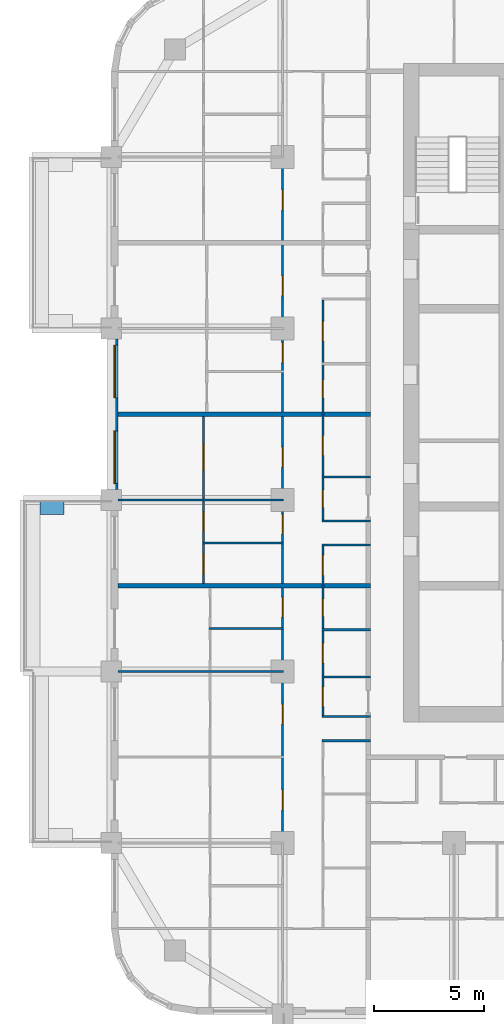
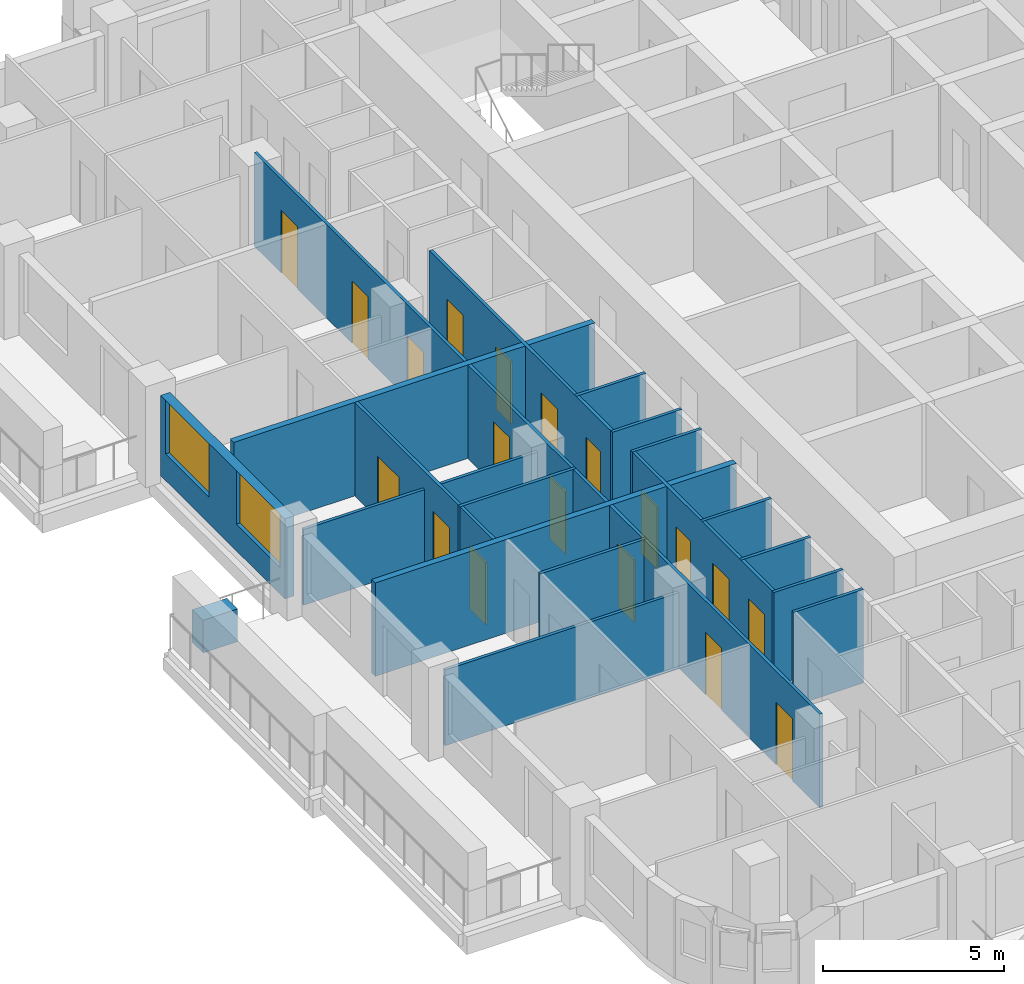
# One storey, part 5 of 18: 19 doors, 19 walls, 2 windows, 21 openings.
"""IFC4 building model written with IfcOpenShell, lengths in metres."""

from ifc_helpers import new_model, si_unit, direction, frame, frame_2d, origin, place, context, subcontext, project, spatial, rectangle, extrude, material, layer, layer_set, type_object, element, fill, save


model = new_model("IFC4")

# Units and contexts
model_context = context("Model", 3, precision=1e-05, world=origin(), true_north=direction((0.0, 1.0)))
body_context = subcontext(model_context, "Body", "Model", "MODEL_VIEW")
ifc_project = project(units=[si_unit("LENGTHUNIT", "METRE"), si_unit("AREAUNIT", "SQUARE_METRE"), si_unit("VOLUMEUNIT", "CUBIC_METRE"), si_unit("PLANEANGLEUNIT", "RADIAN"), si_unit("MASSUNIT", "GRAM", prefix="KILO")], contexts=[model_context])

# Site, building, storey
site_placement = place(None, origin())
site = spatial("IfcSite", under=ifc_project, at=site_placement, CompositionType="ELEMENT")
building_placement = place(site_placement, origin())
building = spatial("IfcBuilding", under=site, at=building_placement, Name="Ludao Terraces", CompositionType="ELEMENT")
storey_placement = place(building_placement, frame((0.0, 0.0, 61.39990234375)))
storey = spatial("IfcBuildingStorey", under=building, at=storey_placement, Name="L16", CompositionType="ELEMENT", Elevation=61.39990234375)

# Wall
ifc_material_1 = material(Name="Concrete C40", Category="concrete")
ifc_layer_1 = layer(ifc_material_1, 0.60009765625)
ifc_layer_set_1 = layer_set([ifc_layer_1], Name="ENV Planter trough 600")
wall_type_1 = type_object("IfcWallType", Name="ENV Planter trough 600", PredefinedType="USERDEFINED", material=ifc_layer_set_1)
wall_1_placement = place(storey_placement, frame((58.35009765625, 64.64990234375, 0.0), z_axis=(0.0, 0.0, 1.0), x_axis=(1.0, 0.0, 0.0)))
element("IfcWall", 1, at=wall_1_placement, inside=storey, type_object=wall_type_1, Name="PL-L16-W2-SB", ObjectType="PLANTER", PredefinedType="USERDEFINED", context=body_context, shape_type="SweptSolid", body=[
    extrude(rectangle(XDim=1.099853515625, YDim=0.60009765625, at=frame_2d((0.5498046875, 0.0))), origin(), (0.0, 0.0, 1.0), 1.10009765625),
])

# Wall, openings, windows
ifc_material_2 = material(Name="Granite cladding", Category="masonry")
ifc_layer_2 = layer(ifc_material_2, 0.0400390625, Category="stone")
ifc_material_3 = material(Name="Mineral wool")
ifc_layer_3 = layer(ifc_material_3, 0.06005859375)
ifc_layer_4 = layer(ifc_material_1, 0.199951171875, Category="concrete")
ifc_layer_set_2 = layer_set([ifc_layer_2, ifc_layer_3, ifc_layer_4], Name="ENV Stone-clad wall 300")
wall_type_2 = type_object("IfcWallType", Name="ENV Stone-clad wall 300", PredefinedType="SOLIDWALL", material=ifc_layer_set_2)
wall_2_placement = place(storey_placement, frame((61.75, 65.47509765625, 0.0), z_axis=(0.0, 0.0, 1.0), x_axis=(0.0, 1.0, 0.0)))
wall_2 = element("IfcWall", 2, at=wall_2_placement, inside=storey, type_object=wall_type_2, Name="EW-L16-W4", PredefinedType="SOLIDWALL", context=body_context, shape_type="SweptSolid", body=[
    extrude(rectangle(XDim=6.849853515625, YDim=0.300048828125, at=frame_2d((3.4248046875, 0.0))), origin(), (0.0, 0.0, 1.0), 2.7001953125),
])
opening_1_placement = place(wall_2_placement, frame((0.27490234375, 0.0, 0.89990234375)))
opening_1 = element("IfcOpeningElement", 3, at=opening_1_placement, cuts=wall_2, Name="Opening W1", PredefinedType="OPENING", context=body_context, shape_type="SweptSolid", body=[
    extrude(rectangle(XDim=2.39990234375, YDim=1.800048828125, at=frame_2d((1.199951171875, 0.89990234375))), frame((0.0, 0.16015625, 0.0), z_axis=(0.0, -1.0, 0.0), x_axis=(1.0, 0.0, 0.0)), (0.0, 0.0, 1.0), 0.320068359375),
])
opening_2_placement = place(wall_2_placement, frame((4.175048828125, 0.0, 0.89990234375)))
opening_2 = element("IfcOpeningElement", 4, at=opening_2_placement, cuts=wall_2, Name="Opening W1", PredefinedType="OPENING", context=body_context, shape_type="SweptSolid", body=[
    extrude(rectangle(XDim=2.39990234375, YDim=1.800048828125, at=frame_2d((1.199951171875, 0.89990234375))), frame((0.0, 0.16015625, 0.0), z_axis=(0.0, -1.0, 0.0), x_axis=(1.0, 0.0, 0.0)), (0.0, 0.0, 1.0), 0.320068359375),
])
ifc_material_4 = material(Name="Clear glass in aluminium frame", Category="aluminium")
ifc_layer_5 = layer(ifc_material_4, 0.06005859375)
ifc_layer_set_3 = layer_set([ifc_layer_5], Name="ENV Window W1 2400x1800")
window_type = type_object("IfcWindowType", Name="ENV Window W1 2400x1800", PartitioningType="DOUBLE_PANEL_VERTICAL", PredefinedType="WINDOW", material=ifc_layer_set_3)
window_1_placement = place(opening_1_placement, origin())
window_1 = element("IfcWindow", 5, at=window_1_placement, inside=storey, type_object=window_type, Name="W-L16-W4-1", OverallHeight=1.800048828125, OverallWidth=2.39990234375, PartitioningType="DOUBLE_PANEL_VERTICAL", PredefinedType="WINDOW", context=body_context, shape_type="SweptSolid", body=[
    extrude(rectangle(XDim=2.39990234375, YDim=1.800048828125, at=frame_2d((1.199951171875, 0.89990234375))), frame((0.0, 0.030029296875, 0.0), z_axis=(0.0, -1.0, 0.0), x_axis=(1.0, 0.0, 0.0)), (0.0, 0.0, 1.0), 0.06005859375),
])
fill(opening_1, window_1)
window_2_placement = place(opening_2_placement, origin())
window_2 = element("IfcWindow", 6, at=window_2_placement, inside=storey, type_object=window_type, Name="W-L16-W4-2", OverallHeight=1.800048828125, OverallWidth=2.39990234375, PartitioningType="DOUBLE_PANEL_VERTICAL", PredefinedType="WINDOW", context=body_context, shape_type="SweptSolid", body=[
    extrude(rectangle(XDim=2.39990234375, YDim=1.800048828125, at=frame_2d((1.199951171875, 0.89990234375))), frame((0.0, 0.030029296875, 0.0), z_axis=(0.0, -1.0, 0.0), x_axis=(1.0, 0.0, 0.0)), (0.0, 0.0, 1.0), 0.06005859375),
])
fill(opening_2, window_2)

# Walls
ifc_material_5 = material(Name="Gypsum plasterboard", Category="gypsum")
ifc_layer_6 = layer(ifc_material_5, 0.012451171875, Category="gypsum")
ifc_layer_7 = layer(ifc_material_3, 0.06005859375, Name="insulation")
ifc_material_6 = material(Name="Steel Q235", Category="steel")
ifc_layer_8 = layer(ifc_material_6, 0.014892578125, Name="stud")
ifc_layer_9 = layer(ifc_material_5, 0.012451171875, Category="gypsum")
ifc_layer_set_4 = layer_set([ifc_layer_6, ifc_layer_7, ifc_layer_8, ifc_layer_9], Name="INT Partition 100")
wall_type_3 = type_object("IfcWallType", Name="INT Partition 100", PredefinedType="PARTITIONING", material=ifc_layer_set_4)
for number, where, z_axis, x_axis, name in (
    (7, (71.18017578125, 54.050048828125, 0.0), (0.0, 0.0, 1.0), (1.0, 0.0, 0.0), "PW-L16-PW022"),
    (8, (71.18017578125, 55.14990234375, 0.0), (0.0, 0.0, 1.0), (1.0, 0.0, 0.0), "PW-L16-PW024"),
    (9, (71.18017578125, 56.949951171875, 0.0), (0.0, 0.0, 1.0), (1.0, 0.0, 0.0), "PW-L16-PW026"),
):
    element("IfcWall", number, at=place(storey_placement, frame(where, z_axis=z_axis, x_axis=x_axis)), inside=storey, type_object=wall_type_3, Name=name, PredefinedType="PARTITIONING", context=body_context, shape_type="SweptSolid", body=[
        extrude(rectangle(XDim=2.219970703125, YDim=0.10009765625, at=frame_2d((1.10986328125, 0.0))), origin(), (0.0, 0.0, 1.0), 3.150146484375),
    ])
wall_3_placement = place(storey_placement, frame((61.900146484375, 57.199951171875, 0.0), z_axis=(0.0, 0.0, 1.0), x_axis=(1.0, 0.0, 0.0)))
element("IfcWall", 10, at=wall_3_placement, inside=storey, type_object=wall_type_3, Name="PW-L16-PW027", PredefinedType="PARTITIONING", context=body_context, shape_type="SweptSolid", body=[
    extrude(rectangle(XDim=7.550048828125, YDim=0.10009765625, at=frame_2d((3.77490234375, 0.0))), origin(), (0.0, 0.0, 1.0), 2.550048828125),
])
wall_4_placement = place(storey_placement, frame((71.18017578125, 59.10009765625, 0.0), z_axis=(0.0, 0.0, 1.0), x_axis=(1.0, 0.0, 0.0)))
element("IfcWall", 11, at=wall_4_placement, inside=storey, type_object=wall_type_3, Name="PW-L16-PW029", PredefinedType="PARTITIONING", context=body_context, shape_type="SweptSolid", body=[
    extrude(rectangle(XDim=2.219970703125, YDim=0.10009765625, at=frame_2d((1.10986328125, 0.0))), origin(), (0.0, 0.0, 1.0), 3.150146484375),
])
wall_5_placement = place(storey_placement, frame((66.050048828125, 59.14990234375, 0.0), z_axis=(0.0, 0.0, 1.0), x_axis=(1.0, 0.0, 0.0)))
element("IfcWall", 12, at=wall_5_placement, inside=storey, type_object=wall_type_3, Name="PW-L16-PW030", PredefinedType="PARTITIONING", context=body_context, shape_type="SweptSolid", body=[
    extrude(rectangle(XDim=3.400146484375, YDim=0.10009765625, at=frame_2d((1.7001953125, 0.0))), origin(), (0.0, 0.0, 1.0), 3.150146484375),
])
wall_6_placement = place(storey_placement, frame((71.18017578125, 62.949951171875, 0.0), z_axis=(0.0, 0.0, 1.0), x_axis=(1.0, 0.0, 0.0)))
element("IfcWall", 13, at=wall_6_placement, inside=storey, type_object=wall_type_3, Name="PW-L16-PW037", PredefinedType="PARTITIONING", context=body_context, shape_type="SweptSolid", body=[
    extrude(rectangle(XDim=2.219970703125, YDim=0.10009765625, at=frame_2d((1.10986328125, 0.0))), origin(), (0.0, 0.0, 1.0), 3.150146484375),
])
wall_7_placement = place(storey_placement, frame((65.75, 63.050048828125, 0.0), z_axis=(0.0, 0.0, 1.0), x_axis=(1.0, 0.0, 0.0)))
element("IfcWall", 14, at=wall_7_placement, inside=storey, type_object=wall_type_3, Name="PW-L16-PW038", PredefinedType="PARTITIONING", context=body_context, shape_type="SweptSolid", body=[
    extrude(rectangle(XDim=3.7001953125, YDim=0.10009765625, at=frame_2d((1.85009765625, 0.0))), origin(), (0.0, 0.0, 1.0), 3.150146484375),
])
wall_8_placement = place(storey_placement, frame((71.18017578125, 64.050048828125, 0.0), z_axis=(0.0, 0.0, 1.0), x_axis=(1.0, 0.0, 0.0)))
element("IfcWall", 15, at=wall_8_placement, inside=storey, type_object=wall_type_3, Name="PW-L16-PW041", PredefinedType="PARTITIONING", context=body_context, shape_type="SweptSolid", body=[
    extrude(rectangle(XDim=2.219970703125, YDim=0.10009765625, at=frame_2d((1.10986328125, 0.0))), origin(), (0.0, 0.0, 1.0), 3.150146484375),
])
wall_9_placement = place(storey_placement, frame((61.900146484375, 65.0, 0.0), z_axis=(0.0, 0.0, 1.0), x_axis=(1.0, 0.0, 0.0)))
element("IfcWall", 16, at=wall_9_placement, inside=storey, type_object=wall_type_3, Name="PW-L16-PW042", PredefinedType="PARTITIONING", context=body_context, shape_type="SweptSolid", body=[
    extrude(rectangle(XDim=7.550048828125, YDim=0.10009765625, at=frame_2d((3.77490234375, 0.0))), origin(), (0.0, 0.0, 1.0), 2.550048828125),
])
wall_10_placement = place(storey_placement, frame((71.18017578125, 66.050048828125, 0.0), z_axis=(0.0, 0.0, 1.0), x_axis=(1.0, 0.0, 0.0)))
element("IfcWall", 17, at=wall_10_placement, inside=storey, type_object=wall_type_3, Name="PW-L16-PW044", PredefinedType="PARTITIONING", context=body_context, shape_type="SweptSolid", body=[
    extrude(rectangle(XDim=2.219970703125, YDim=0.10009765625, at=frame_2d((1.10986328125, 0.0))), origin(), (0.0, 0.0, 1.0), 3.150146484375),
])

# Wall, openings, doors
wall_11_placement = place(storey_placement, frame((65.800048828125, 61.2001953125, 0.0), z_axis=(0.0, 0.0, 1.0), x_axis=(0.0, 1.0, 0.0)))
wall_11 = element("IfcWall", 18, at=wall_11_placement, inside=storey, type_object=wall_type_3, Name="PW-L16-PW081", PredefinedType="PARTITIONING", context=body_context, shape_type="SweptSolid", body=[
    extrude(rectangle(XDim=7.599853515625, YDim=0.10009765625, at=frame_2d((3.7998046875, 0.0))), origin(), (0.0, 0.0, 1.0), 3.150146484375),
])
opening_3_placement = place(wall_11_placement, frame((0.4248046875, 0.0, 0.0)))
opening_3 = element("IfcOpeningElement", 19, at=opening_3_placement, cuts=wall_11, Name="Opening R05-076", PredefinedType="OPENING", context=body_context, shape_type="SweptSolid", body=[
    extrude(rectangle(XDim=0.89990234375, YDim=2.10009765625, at=frame_2d((0.449951171875, 1.050048828125))), frame((0.0, 0.06005859375, 0.0), z_axis=(0.0, -1.0, 0.0), x_axis=(1.0, 0.0, 0.0)), (0.0, 0.0, 1.0), 0.1201171875),
])
opening_4_placement = place(wall_11_placement, frame((2.375, 0.0, 0.0)))
opening_4 = element("IfcOpeningElement", 20, at=opening_4_placement, cuts=wall_11, Name="Opening R05-085", PredefinedType="OPENING", context=body_context, shape_type="SweptSolid", body=[
    extrude(rectangle(XDim=0.89990234375, YDim=2.10009765625, at=frame_2d((0.449951171875, 1.050048828125))), frame((0.0, 0.06005859375, 0.0), z_axis=(0.0, -1.0, 0.0), x_axis=(1.0, 0.0, 0.0)), (0.0, 0.0, 1.0), 0.1201171875),
])
opening_5_placement = place(wall_11_placement, frame((5.14990234375, 0.0, 0.0)))
opening_5 = element("IfcOpeningElement", 21, at=opening_5_placement, cuts=wall_11, Name="Opening R05-094", PredefinedType="OPENING", context=body_context, shape_type="SweptSolid", body=[
    extrude(rectangle(XDim=1.199951171875, YDim=2.10009765625, at=frame_2d((0.60009765625, 1.050048828125))), frame((0.0, 0.06005859375, 0.0), z_axis=(0.0, -1.0, 0.0), x_axis=(1.0, 0.0, 0.0)), (0.0, 0.0, 1.0), 0.1201171875),
])
ifc_material_7 = material(Name="Timber door leaf", Category="wood")
door_type_1 = type_object("IfcDoorType", Name="INT Bathroom door 900", OperationType="SINGLE_SWING_LEFT", PredefinedType="DOOR", material=ifc_material_7)
door_1_placement = place(opening_3_placement, origin())
door_1 = element("IfcDoor", 22, at=door_1_placement, inside=storey, type_object=door_type_1, Name="DOOR 076", OperationType="SINGLE_SWING_RIGHT", OverallHeight=2.10009765625, OverallWidth=0.89990234375, PredefinedType="DOOR", context=body_context, shape_type="SweptSolid", body=[
    extrude(rectangle(XDim=0.89990234375, YDim=2.10009765625, at=frame_2d((0.449951171875, 1.050048828125))), frame((0.0, 0.02490234375, 0.0), z_axis=(0.0, -1.0, 0.0), x_axis=(1.0, 0.0, 0.0)), (0.0, 0.0, 1.0), 0.050048828125),
])
fill(opening_3, door_1)
door_type_2 = type_object("IfcDoorType", Name="INT Double door 1200", OperationType="DOUBLE_DOOR_SINGLE_SWING", PredefinedType="DOOR", material=ifc_material_7)
door_2_placement = place(opening_5_placement, origin())
door_2 = element("IfcDoor", 23, at=door_2_placement, inside=storey, type_object=door_type_2, Name="DOOR 094", OperationType="DOUBLE_DOOR_SINGLE_SWING", OverallHeight=2.10009765625, OverallWidth=1.199951171875, PredefinedType="DOOR", context=body_context, shape_type="SweptSolid", body=[
    extrude(rectangle(XDim=1.199951171875, YDim=2.10009765625, at=frame_2d((0.60009765625, 1.050048828125))), frame((0.0, 0.02490234375, 0.0), z_axis=(0.0, -1.0, 0.0), x_axis=(1.0, 0.0, 0.0)), (0.0, 0.0, 1.0), 0.050048828125),
])
fill(opening_5, door_2)
door_type_3 = type_object("IfcDoorType", Name="INT Room door 900", OperationType="SINGLE_SWING_LEFT", PredefinedType="DOOR", material=ifc_material_7)
door_3_placement = place(opening_4_placement, origin())
door_3 = element("IfcDoor", 24, at=door_3_placement, inside=storey, type_object=door_type_3, Name="DOOR 085", OperationType="SINGLE_SWING_RIGHT", OverallHeight=2.10009765625, OverallWidth=0.89990234375, PredefinedType="DOOR", context=body_context, shape_type="SweptSolid", body=[
    extrude(rectangle(XDim=0.89990234375, YDim=2.10009765625, at=frame_2d((0.449951171875, 1.050048828125))), frame((0.0, 0.02490234375, 0.0), z_axis=(0.0, -1.0, 0.0), x_axis=(1.0, 0.0, 0.0)), (0.0, 0.0, 1.0), 0.050048828125),
])
fill(opening_4, door_3)

wall_12_placement = place(storey_placement, frame((69.39990234375, 49.39990234375, 0.0), z_axis=(0.0, 0.0, 1.0), x_axis=(0.0, 1.0, 0.0)))
wall_12 = element("IfcWall", 25, at=wall_12_placement, inside=storey, type_object=wall_type_3, Name="PW-L16-PW085-2", PredefinedType="PARTITIONING", context=body_context, shape_type="SweptSolid", body=[
    extrude(rectangle(XDim=31.2001953125, YDim=0.10009765625, at=frame_2d((15.60009765625, 0.0))), origin(), (0.0, 0.0, 1.0), 3.150146484375),
])
opening_6_placement = place(wall_12_placement, frame((1.500244140625, 0.0, 0.0)))
opening_6 = element("IfcOpeningElement", 26, at=opening_6_placement, cuts=wall_12, Name="Opening R05-043", PredefinedType="OPENING", context=body_context, shape_type="SweptSolid", body=[
    extrude(rectangle(XDim=0.89990234375, YDim=2.10009765625, at=frame_2d((0.449951171875, 1.050048828125))), frame((0.0, 0.06005859375, 0.0), z_axis=(0.0, -1.0, 0.0), x_axis=(1.0, 0.0, 0.0)), (0.0, 0.0, 1.0), 0.1201171875),
])
opening_7_placement = place(wall_12_placement, frame((5.400146484375, 0.0, 0.0)))
opening_7 = element("IfcOpeningElement", 27, at=opening_7_placement, cuts=wall_12, Name="Opening R05-053", PredefinedType="OPENING", context=body_context, shape_type="SweptSolid", body=[
    extrude(rectangle(XDim=0.89990234375, YDim=2.10009765625, at=frame_2d((0.449951171875, 1.050048828125))), frame((0.0, 0.06005859375, 0.0), z_axis=(0.0, -1.0, 0.0), x_axis=(1.0, 0.0, 0.0)), (0.0, 0.0, 1.0), 0.1201171875),
])
opening_8_placement = place(wall_12_placement, frame((10.275146484375, 0.0, 0.0)))
opening_8 = element("IfcOpeningElement", 28, at=opening_8_placement, cuts=wall_12, Name="Opening R05-071", PredefinedType="OPENING", context=body_context, shape_type="SweptSolid", body=[
    extrude(rectangle(XDim=0.89990234375, YDim=2.10009765625, at=frame_2d((0.449951171875, 1.050048828125))), frame((0.0, 0.06005859375, 0.0), z_axis=(0.0, -1.0, 0.0), x_axis=(1.0, 0.0, 0.0)), (0.0, 0.0, 1.0), 0.1201171875),
])
opening_9_placement = place(wall_12_placement, frame((14.05029296875, 0.0, 0.0)))
opening_9 = element("IfcOpeningElement", 29, at=opening_9_placement, cuts=wall_12, Name="Opening R05-083", PredefinedType="OPENING", context=body_context, shape_type="SweptSolid", body=[
    extrude(rectangle(XDim=0.89990234375, YDim=2.10009765625, at=frame_2d((0.449951171875, 1.050048828125))), frame((0.0, 0.06005859375, 0.0), z_axis=(0.0, -1.0, 0.0), x_axis=(1.0, 0.0, 0.0)), (0.0, 0.0, 1.0), 0.1201171875),
])
opening_10_placement = place(wall_12_placement, frame((17.10009765625, 0.0, 0.0)))
opening_10 = element("IfcOpeningElement", 30, at=opening_10_placement, cuts=wall_12, Name="Opening R05-095", PredefinedType="OPENING", context=body_context, shape_type="SweptSolid", body=[
    extrude(rectangle(XDim=0.89990234375, YDim=2.10009765625, at=frame_2d((0.449951171875, 1.050048828125))), frame((0.0, 0.06005859375, 0.0), z_axis=(0.0, -1.0, 0.0), x_axis=(1.0, 0.0, 0.0)), (0.0, 0.0, 1.0), 0.1201171875),
])
opening_11_placement = place(wall_12_placement, frame((21.85009765625, 0.0, 0.0)))
opening_11 = element("IfcOpeningElement", 31, at=opening_11_placement, cuts=wall_12, Name="Opening R05-109", PredefinedType="OPENING", context=body_context, shape_type="SweptSolid", body=[
    extrude(rectangle(XDim=0.89990234375, YDim=2.10009765625, at=frame_2d((0.449951171875, 1.050048828125))), frame((0.0, 0.06005859375, 0.0), z_axis=(0.0, -1.0, 0.0), x_axis=(1.0, 0.0, 0.0)), (0.0, 0.0, 1.0), 0.1201171875),
])
opening_12_placement = place(wall_12_placement, frame((24.900146484375, 0.0, 0.0)))
opening_12 = element("IfcOpeningElement", 32, at=opening_12_placement, cuts=wall_12, Name="Opening R05-120", PredefinedType="OPENING", context=body_context, shape_type="SweptSolid", body=[
    extrude(rectangle(XDim=0.89990234375, YDim=2.10009765625, at=frame_2d((0.449951171875, 1.050048828125))), frame((0.0, 0.06005859375, 0.0), z_axis=(0.0, -1.0, 0.0), x_axis=(1.0, 0.0, 0.0)), (0.0, 0.0, 1.0), 0.1201171875),
])
opening_13_placement = place(wall_12_placement, frame((28.80029296875, 0.0, 0.0)))
opening_13 = element("IfcOpeningElement", 33, at=opening_13_placement, cuts=wall_12, Name="Opening R05-138", PredefinedType="OPENING", context=body_context, shape_type="SweptSolid", body=[
    extrude(rectangle(XDim=0.89990234375, YDim=2.10009765625, at=frame_2d((0.449951171875, 1.050048828125))), frame((0.0, 0.06005859375, 0.0), z_axis=(0.0, -1.0, 0.0), x_axis=(1.0, 0.0, 0.0)), (0.0, 0.0, 1.0), 0.1201171875),
])
door_4_placement = place(opening_6_placement, origin())
door_4 = element("IfcDoor", 34, at=door_4_placement, inside=storey, type_object=door_type_3, Name="DOOR 043", OperationType="SINGLE_SWING_RIGHT", OverallHeight=2.10009765625, OverallWidth=0.89990234375, PredefinedType="DOOR", context=body_context, shape_type="SweptSolid", body=[
    extrude(rectangle(XDim=0.89990234375, YDim=2.10009765625, at=frame_2d((0.449951171875, 1.050048828125))), frame((0.0, 0.02490234375, 0.0), z_axis=(0.0, -1.0, 0.0), x_axis=(1.0, 0.0, 0.0)), (0.0, 0.0, 1.0), 0.050048828125),
])
fill(opening_6, door_4)
door_5_placement = place(opening_7_placement, origin())
door_5 = element("IfcDoor", 35, at=door_5_placement, inside=storey, type_object=door_type_3, Name="DOOR 053", OperationType="SINGLE_SWING_LEFT", OverallHeight=2.10009765625, OverallWidth=0.89990234375, PredefinedType="DOOR", context=body_context, shape_type="SweptSolid", body=[
    extrude(rectangle(XDim=0.89990234375, YDim=2.10009765625, at=frame_2d((0.449951171875, 1.050048828125))), frame((0.0, 0.02490234375, 0.0), z_axis=(0.0, -1.0, 0.0), x_axis=(1.0, 0.0, 0.0)), (0.0, 0.0, 1.0), 0.050048828125),
])
fill(opening_7, door_5)
door_6_placement = place(opening_8_placement, origin())
door_6 = element("IfcDoor", 36, at=door_6_placement, inside=storey, type_object=door_type_3, Name="DOOR 071", OperationType="SINGLE_SWING_RIGHT", OverallHeight=2.10009765625, OverallWidth=0.89990234375, PredefinedType="DOOR", context=body_context, shape_type="SweptSolid", body=[
    extrude(rectangle(XDim=0.89990234375, YDim=2.10009765625, at=frame_2d((0.449951171875, 1.050048828125))), frame((0.0, 0.02490234375, 0.0), z_axis=(0.0, -1.0, 0.0), x_axis=(1.0, 0.0, 0.0)), (0.0, 0.0, 1.0), 0.050048828125),
])
fill(opening_8, door_6)
door_7_placement = place(opening_9_placement, origin())
door_7 = element("IfcDoor", 37, at=door_7_placement, inside=storey, type_object=door_type_3, Name="DOOR 083", OperationType="SINGLE_SWING_LEFT", OverallHeight=2.10009765625, OverallWidth=0.89990234375, PredefinedType="DOOR", context=body_context, shape_type="SweptSolid", body=[
    extrude(rectangle(XDim=0.89990234375, YDim=2.10009765625, at=frame_2d((0.449951171875, 1.050048828125))), frame((0.0, 0.02490234375, 0.0), z_axis=(0.0, -1.0, 0.0), x_axis=(1.0, 0.0, 0.0)), (0.0, 0.0, 1.0), 0.050048828125),
])
fill(opening_9, door_7)
door_8_placement = place(opening_10_placement, origin())
door_8 = element("IfcDoor", 38, at=door_8_placement, inside=storey, type_object=door_type_3, Name="DOOR 095", OperationType="SINGLE_SWING_LEFT", OverallHeight=2.10009765625, OverallWidth=0.89990234375, PredefinedType="DOOR", context=body_context, shape_type="SweptSolid", body=[
    extrude(rectangle(XDim=0.89990234375, YDim=2.10009765625, at=frame_2d((0.449951171875, 1.050048828125))), frame((0.0, 0.02490234375, 0.0), z_axis=(0.0, -1.0, 0.0), x_axis=(1.0, 0.0, 0.0)), (0.0, 0.0, 1.0), 0.050048828125),
])
fill(opening_10, door_8)
door_9_placement = place(opening_11_placement, origin())
door_9 = element("IfcDoor", 39, at=door_9_placement, inside=storey, type_object=door_type_3, Name="DOOR 109", OperationType="SINGLE_SWING_LEFT", OverallHeight=2.10009765625, OverallWidth=0.89990234375, PredefinedType="DOOR", context=body_context, shape_type="SweptSolid", body=[
    extrude(rectangle(XDim=0.89990234375, YDim=2.10009765625, at=frame_2d((0.449951171875, 1.050048828125))), frame((0.0, 0.02490234375, 0.0), z_axis=(0.0, -1.0, 0.0), x_axis=(1.0, 0.0, 0.0)), (0.0, 0.0, 1.0), 0.050048828125),
])
fill(opening_11, door_9)
door_10_placement = place(opening_12_placement, origin())
door_10 = element("IfcDoor", 40, at=door_10_placement, inside=storey, type_object=door_type_3, Name="DOOR 120", OperationType="SINGLE_SWING_RIGHT", OverallHeight=2.10009765625, OverallWidth=0.89990234375, PredefinedType="DOOR", context=body_context, shape_type="SweptSolid", body=[
    extrude(rectangle(XDim=0.89990234375, YDim=2.10009765625, at=frame_2d((0.449951171875, 1.050048828125))), frame((0.0, 0.02490234375, 0.0), z_axis=(0.0, -1.0, 0.0), x_axis=(1.0, 0.0, 0.0)), (0.0, 0.0, 1.0), 0.050048828125),
])
fill(opening_12, door_10)
door_11_placement = place(opening_13_placement, origin())
door_11 = element("IfcDoor", 41, at=door_11_placement, inside=storey, type_object=door_type_3, Name="DOOR 138", OperationType="SINGLE_SWING_LEFT", OverallHeight=2.10009765625, OverallWidth=0.89990234375, PredefinedType="DOOR", context=body_context, shape_type="SweptSolid", body=[
    extrude(rectangle(XDim=0.89990234375, YDim=2.10009765625, at=frame_2d((0.449951171875, 1.050048828125))), frame((0.0, 0.02490234375, 0.0), z_axis=(0.0, -1.0, 0.0), x_axis=(1.0, 0.0, 0.0)), (0.0, 0.0, 1.0), 0.050048828125),
])
fill(opening_13, door_11)

wall_13_placement = place(storey_placement, frame((71.22998046875, 55.2001953125, 0.0), z_axis=(0.0, 0.0, 1.0), x_axis=(0.0, 1.0, 0.0)))
wall_13 = element("IfcWall", 42, at=wall_13_placement, inside=storey, type_object=wall_type_3, Name="PW-L16-PW087", PredefinedType="PARTITIONING", context=body_context, shape_type="SweptSolid", body=[
    extrude(rectangle(XDim=7.699951171875, YDim=0.10009765625, at=frame_2d((3.85009765625, 0.0))), origin(), (0.0, 0.0, 1.0), 3.150146484375),
])
opening_14_placement = place(wall_13_placement, frame((0.39990234375, 0.0, 0.0)))
opening_14 = element("IfcOpeningElement", 43, at=opening_14_placement, cuts=wall_13, Name="Opening R05-057", PredefinedType="OPENING", context=body_context, shape_type="SweptSolid", body=[
    extrude(rectangle(XDim=0.89990234375, YDim=2.10009765625, at=frame_2d((0.449951171875, 1.050048828125))), frame((0.0, 0.06005859375, 0.0), z_axis=(0.0, -1.0, 0.0), x_axis=(1.0, 0.0, 0.0)), (0.0, 0.0, 1.0), 0.1201171875),
])
opening_15_placement = place(wall_13_placement, frame((2.375, 0.0, 0.0)))
opening_15 = element("IfcOpeningElement", 44, at=opening_15_placement, cuts=wall_13, Name="Opening R05-063", PredefinedType="OPENING", context=body_context, shape_type="SweptSolid", body=[
    extrude(rectangle(XDim=0.89990234375, YDim=2.10009765625, at=frame_2d((0.449951171875, 1.050048828125))), frame((0.0, 0.06005859375, 0.0), z_axis=(0.0, -1.0, 0.0), x_axis=(1.0, 0.0, 0.0)), (0.0, 0.0, 1.0), 0.1201171875),
])
opening_16_placement = place(wall_13_placement, frame((4.5, 0.0, 0.0)))
opening_16 = element("IfcOpeningElement", 45, at=opening_16_placement, cuts=wall_13, Name="Opening R05-069", PredefinedType="OPENING", context=body_context, shape_type="SweptSolid", body=[
    extrude(rectangle(XDim=0.800048828125, YDim=2.10009765625, at=frame_2d((0.39990234375, 1.050048828125))), frame((0.0, 0.06005859375, 0.0), z_axis=(0.0, -1.0, 0.0), x_axis=(1.0, 0.0, 0.0)), (0.0, 0.0, 1.0), 0.1201171875),
])
opening_17_placement = place(wall_13_placement, frame((6.375, 0.0, 0.0)))
opening_17 = element("IfcOpeningElement", 46, at=opening_17_placement, cuts=wall_13, Name="Opening R05-075", PredefinedType="OPENING", context=body_context, shape_type="SweptSolid", body=[
    extrude(rectangle(XDim=0.89990234375, YDim=2.10009765625, at=frame_2d((0.449951171875, 1.050048828125))), frame((0.0, 0.06005859375, 0.0), z_axis=(0.0, -1.0, 0.0), x_axis=(1.0, 0.0, 0.0)), (0.0, 0.0, 1.0), 0.1201171875),
])
door_12_placement = place(opening_14_placement, origin())
door_12 = element("IfcDoor", 47, at=door_12_placement, inside=storey, type_object=door_type_1, Name="DOOR 057", OperationType="SINGLE_SWING_RIGHT", OverallHeight=2.10009765625, OverallWidth=0.89990234375, PredefinedType="DOOR", context=body_context, shape_type="SweptSolid", body=[
    extrude(rectangle(XDim=0.89990234375, YDim=2.10009765625, at=frame_2d((0.449951171875, 1.050048828125))), frame((0.0, 0.02490234375, 0.0), z_axis=(0.0, -1.0, 0.0), x_axis=(1.0, 0.0, 0.0)), (0.0, 0.0, 1.0), 0.050048828125),
])
fill(opening_14, door_12)
door_13_placement = place(opening_15_placement, origin())
door_13 = element("IfcDoor", 48, at=door_13_placement, inside=storey, type_object=door_type_1, Name="DOOR 063", OperationType="SINGLE_SWING_RIGHT", OverallHeight=2.10009765625, OverallWidth=0.89990234375, PredefinedType="DOOR", context=body_context, shape_type="SweptSolid", body=[
    extrude(rectangle(XDim=0.89990234375, YDim=2.10009765625, at=frame_2d((0.449951171875, 1.050048828125))), frame((0.0, 0.02490234375, 0.0), z_axis=(0.0, -1.0, 0.0), x_axis=(1.0, 0.0, 0.0)), (0.0, 0.0, 1.0), 0.050048828125),
])
fill(opening_15, door_13)
door_14_placement = place(opening_17_placement, origin())
door_14 = element("IfcDoor", 49, at=door_14_placement, inside=storey, type_object=door_type_1, Name="DOOR 075", OperationType="SINGLE_SWING_RIGHT", OverallHeight=2.10009765625, OverallWidth=0.89990234375, PredefinedType="DOOR", context=body_context, shape_type="SweptSolid", body=[
    extrude(rectangle(XDim=0.89990234375, YDim=2.10009765625, at=frame_2d((0.449951171875, 1.050048828125))), frame((0.0, 0.02490234375, 0.0), z_axis=(0.0, -1.0, 0.0), x_axis=(1.0, 0.0, 0.0)), (0.0, 0.0, 1.0), 0.050048828125),
])
fill(opening_17, door_14)
door_type_4 = type_object("IfcDoorType", Name="INT Store door 800", OperationType="SINGLE_SWING_LEFT", PredefinedType="DOOR", material=ifc_material_7)
door_15_placement = place(opening_16_placement, origin())
door_15 = element("IfcDoor", 50, at=door_15_placement, inside=storey, type_object=door_type_4, Name="DOOR 069", OperationType="SINGLE_SWING_LEFT", OverallHeight=2.10009765625, OverallWidth=0.800048828125, PredefinedType="DOOR", context=body_context, shape_type="SweptSolid", body=[
    extrude(rectangle(XDim=0.800048828125, YDim=2.10009765625, at=frame_2d((0.39990234375, 1.050048828125))), frame((0.0, 0.02490234375, 0.0), z_axis=(0.0, -1.0, 0.0), x_axis=(1.0, 0.0, 0.0)), (0.0, 0.0, 1.0), 0.050048828125),
])
fill(opening_16, door_15)

wall_14_placement = place(storey_placement, frame((71.22998046875, 64.10009765625, 0.0), z_axis=(0.0, 0.0, 1.0), x_axis=(0.0, 1.0, 0.0)))
wall_14 = element("IfcWall", 51, at=wall_14_placement, inside=storey, type_object=wall_type_3, Name="PW-L16-PW088", PredefinedType="PARTITIONING", context=body_context, shape_type="SweptSolid", body=[
    extrude(rectangle(XDim=10.0, YDim=0.10009765625, at=frame_2d((5.0, 0.0))), origin(), (0.0, 0.0, 1.0), 3.150146484375),
])
opening_18_placement = place(wall_14_placement, frame((0.550048828125, 0.0, 0.0)))
opening_18 = element("IfcOpeningElement", 52, at=opening_18_placement, cuts=wall_14, Name="Opening R05-089", PredefinedType="OPENING", context=body_context, shape_type="SweptSolid", body=[
    extrude(rectangle(XDim=0.800048828125, YDim=2.10009765625, at=frame_2d((0.39990234375, 1.050048828125))), frame((0.0, 0.06005859375, 0.0), z_axis=(0.0, -1.0, 0.0), x_axis=(1.0, 0.0, 0.0)), (0.0, 0.0, 1.0), 0.1201171875),
])
opening_19_placement = place(wall_14_placement, frame((2.925048828125, 0.0, 0.0)))
opening_19 = element("IfcOpeningElement", 53, at=opening_19_placement, cuts=wall_14, Name="Opening R05-096", PredefinedType="OPENING", context=body_context, shape_type="SweptSolid", body=[
    extrude(rectangle(XDim=0.89990234375, YDim=2.10009765625, at=frame_2d((0.449951171875, 1.050048828125))), frame((0.0, 0.06005859375, 0.0), z_axis=(0.0, -1.0, 0.0), x_axis=(1.0, 0.0, 0.0)), (0.0, 0.0, 1.0), 0.1201171875),
])
opening_20_placement = place(wall_14_placement, frame((5.550048828125, 0.0, 0.0)))
opening_20 = element("IfcOpeningElement", 54, at=opening_20_placement, cuts=wall_14, Name="Opening R05-103", PredefinedType="OPENING", context=body_context, shape_type="SweptSolid", body=[
    extrude(rectangle(XDim=0.800048828125, YDim=2.10009765625, at=frame_2d((0.39990234375, 1.050048828125))), frame((0.0, 0.06005859375, 0.0), z_axis=(0.0, -1.0, 0.0), x_axis=(1.0, 0.0, 0.0)), (0.0, 0.0, 1.0), 0.1201171875),
])
opening_21_placement = place(wall_14_placement, frame((8.125, 0.0, 0.0)))
opening_21 = element("IfcOpeningElement", 55, at=opening_21_placement, cuts=wall_14, Name="Opening R05-113", PredefinedType="OPENING", context=body_context, shape_type="SweptSolid", body=[
    extrude(rectangle(XDim=0.89990234375, YDim=2.10009765625, at=frame_2d((0.449951171875, 1.050048828125))), frame((0.0, 0.06005859375, 0.0), z_axis=(0.0, -1.0, 0.0), x_axis=(1.0, 0.0, 0.0)), (0.0, 0.0, 1.0), 0.1201171875),
])
door_16_placement = place(opening_19_placement, origin())
door_16 = element("IfcDoor", 56, at=door_16_placement, inside=storey, type_object=door_type_3, Name="DOOR 096", OperationType="SINGLE_SWING_LEFT", OverallHeight=2.10009765625, OverallWidth=0.89990234375, PredefinedType="DOOR", context=body_context, shape_type="SweptSolid", body=[
    extrude(rectangle(XDim=0.89990234375, YDim=2.10009765625, at=frame_2d((0.449951171875, 1.050048828125))), frame((0.0, 0.02490234375, 0.0), z_axis=(0.0, -1.0, 0.0), x_axis=(1.0, 0.0, 0.0)), (0.0, 0.0, 1.0), 0.050048828125),
])
fill(opening_19, door_16)
door_17_placement = place(opening_21_placement, origin())
door_17 = element("IfcDoor", 57, at=door_17_placement, inside=storey, type_object=door_type_3, Name="DOOR 113", OperationType="SINGLE_SWING_LEFT", OverallHeight=2.10009765625, OverallWidth=0.89990234375, PredefinedType="DOOR", context=body_context, shape_type="SweptSolid", body=[
    extrude(rectangle(XDim=0.89990234375, YDim=2.10009765625, at=frame_2d((0.449951171875, 1.050048828125))), frame((0.0, 0.02490234375, 0.0), z_axis=(0.0, -1.0, 0.0), x_axis=(1.0, 0.0, 0.0)), (0.0, 0.0, 1.0), 0.050048828125),
])
fill(opening_21, door_17)
door_18_placement = place(opening_18_placement, origin())
door_18 = element("IfcDoor", 58, at=door_18_placement, inside=storey, type_object=door_type_4, Name="DOOR 089", OperationType="SINGLE_SWING_RIGHT", OverallHeight=2.10009765625, OverallWidth=0.800048828125, PredefinedType="DOOR", context=body_context, shape_type="SweptSolid", body=[
    extrude(rectangle(XDim=0.800048828125, YDim=2.10009765625, at=frame_2d((0.39990234375, 1.050048828125))), frame((0.0, 0.02490234375, 0.0), z_axis=(0.0, -1.0, 0.0), x_axis=(1.0, 0.0, 0.0)), (0.0, 0.0, 1.0), 0.050048828125),
])
fill(opening_18, door_18)
door_19_placement = place(opening_20_placement, origin())
door_19 = element("IfcDoor", 59, at=door_19_placement, inside=storey, type_object=door_type_4, Name="DOOR 103", OperationType="SINGLE_SWING_RIGHT", OverallHeight=2.10009765625, OverallWidth=0.800048828125, PredefinedType="DOOR", context=body_context, shape_type="SweptSolid", body=[
    extrude(rectangle(XDim=0.800048828125, YDim=2.10009765625, at=frame_2d((0.39990234375, 1.050048828125))), frame((0.0, 0.02490234375, 0.0), z_axis=(0.0, -1.0, 0.0), x_axis=(1.0, 0.0, 0.0)), (0.0, 0.0, 1.0), 0.050048828125),
])
fill(opening_20, door_19)

# Walls
ifc_material_8 = material(Name="Autoclaved aerated concrete block B06 A3.5", Category="concrete")
ifc_layer_10 = layer(ifc_material_8, 0.199951171875)
ifc_layer_set_5 = layer_set([ifc_layer_10], Name="INT Party wall 200")
wall_type_4 = type_object("IfcWallType", Name="INT Party wall 200", PredefinedType="PARTITIONING", material=ifc_layer_set_5)
for number, where, z_axis, x_axis, name in (
    (60, (61.900146484375, 61.10009765625, 0.0), (0.0, 0.0, 1.0), (1.0, 0.0, 0.0), "PW-L16-PW033"),
    (61, (61.900146484375, 68.89990234375, 0.0), (0.0, 0.0, 1.0), (1.0, 0.0, 0.0), "PW-L16-PW049"),
):
    element("IfcWall", number, at=place(storey_placement, frame(where, z_axis=z_axis, x_axis=x_axis)), inside=storey, type_object=wall_type_4, Name=name, PredefinedType="PARTITIONING", context=body_context, shape_type="SweptSolid", body=[
        extrude(rectangle(XDim=11.5, YDim=0.199951171875, at=frame_2d((5.75, 0.0))), origin(), (0.0, 0.0, 1.0), 3.150146484375),
    ])

save(model, "model.ifc")
